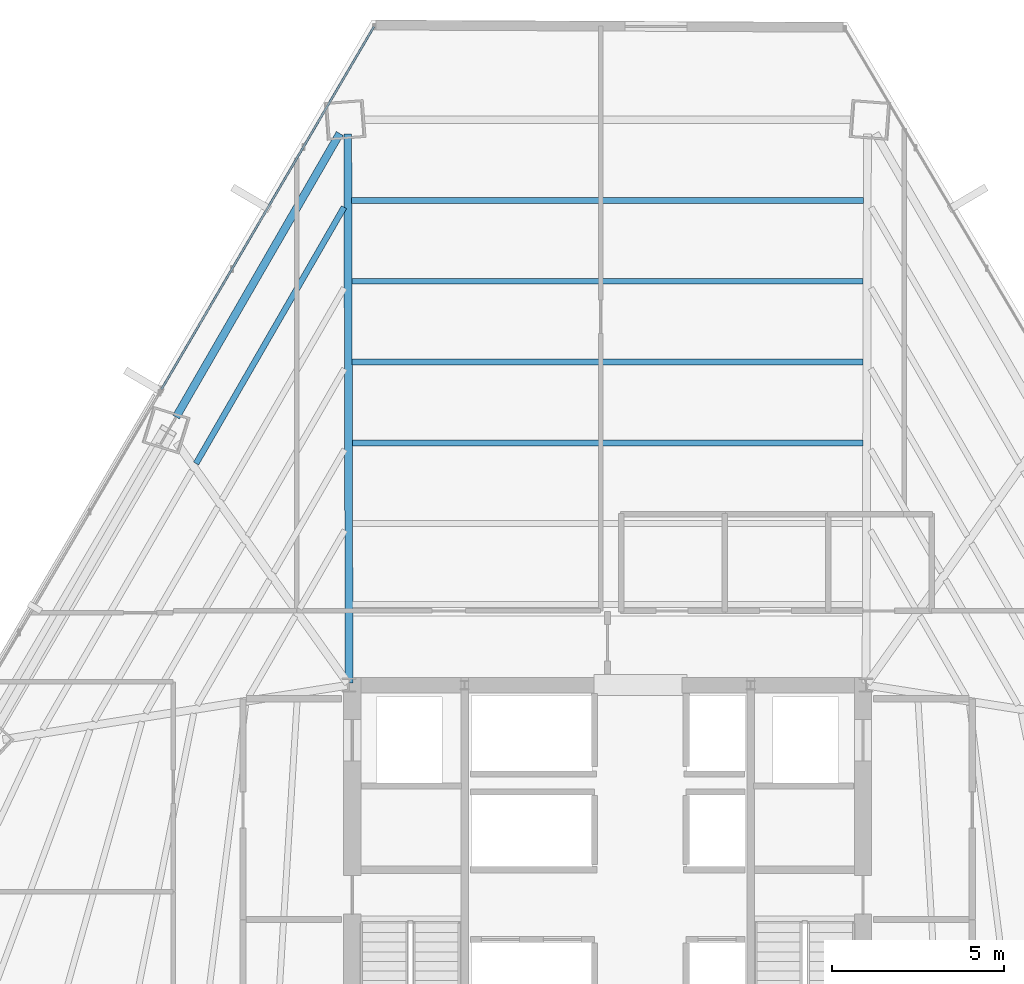
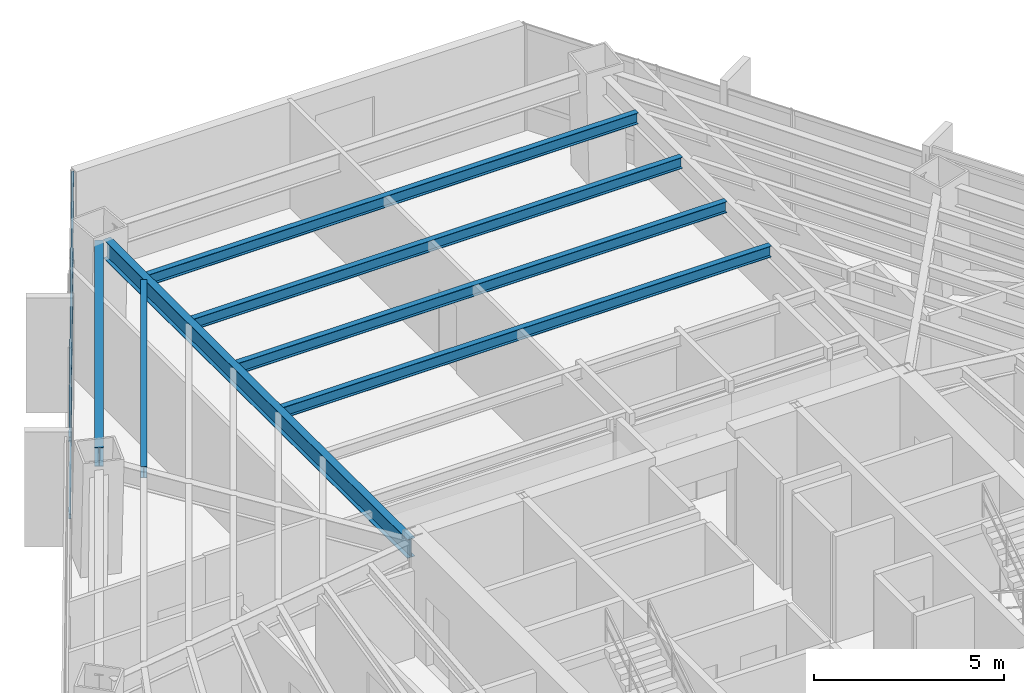
# One storey, part 25 of 35: 7 beams, 2 members, 1 element without a shape of its own.
"""IFC4 building model written with IfcOpenShell, lengths in metres."""

from ifc_helpers import new_model, si_unit, direction, frame, origin, origin_2d, place, context, subcontext, project, spatial, hollow_rectangle, i_section, extrude, source, transform, mapped, material, material_profile, profile_set, type_object, type_shapes, element, aggregate, save


model = new_model("IFC4")

# Units and contexts
model_context = context("Model", 3, precision=1e-05, world=origin(), true_north=direction((0.0, 1.0)))
body_context = subcontext(model_context, "Body", "Model", "MODEL_VIEW")
ifc_project = project(units=[si_unit("LENGTHUNIT", "METRE"), si_unit("AREAUNIT", "SQUARE_METRE"), si_unit("VOLUMEUNIT", "CUBIC_METRE"), si_unit("PLANEANGLEUNIT", "RADIAN"), si_unit("MASSUNIT", "GRAM", prefix="KILO")], contexts=[model_context])

# Site, building, storey
site_placement = place(None, origin())
site = spatial("IfcSite", under=ifc_project, at=site_placement, CompositionType="ELEMENT")
building_placement = place(site_placement, origin())
building = spatial("IfcBuilding", under=site, at=building_placement, Name="Caelisora Broadcast Tower", CompositionType="ELEMENT")
storey_placement = place(building_placement, frame((0.0, 0.0, 98.10009765625)))
storey = spatial("IfcBuildingStorey", under=building, at=storey_placement, Name="L25", CompositionType="ELEMENT", Elevation=98.10009765625)

# Beams
ifc_material_1 = material(Name="Steel Grade 350 (AS/NZS 3679.1)", Category="steel")
ifc_material_profile_1 = material_profile(ifc_material_1, i_section(OverallWidth=0.22900390625, OverallDepth=0.611572265625, WebThickness=0.011962890625, FlangeThickness=0.01953125, at=origin_2d()), Name="Steel Grade 350 (AS/NZS 3679.1)")
ifc_profile_set_1 = profile_set([ifc_material_profile_1], Name="Steel Grade 350 (AS/NZS 3679.1)")
beam_type_1 = type_object("IfcBeamType", Name="PG03", PredefinedType="BEAM", material=ifc_profile_set_1)
shared_shape_1 = source(origin(), body_context, "Body", "SweptSolid", [
    extrude(i_section(OverallWidth=0.22900390625, OverallDepth=0.611572265625, WebThickness=0.011962890625, FlangeThickness=0.01953125, at=origin_2d()), origin(), (0.0, 0.0, 1.0), 9.50048828125),
])
type_shapes(beam_type_1, [shared_shape_1])
beam_1_placement = place(storey_placement, frame((30.229736328125, 46.004150390625, 3.093994140625), z_axis=(-0.499994576128, -0.866028535236, 0.0), x_axis=(0.866028535236, -0.499994576128, 0.0)))
element("IfcBeam", 1, at=beam_1_placement, inside=storey, type_object=beam_type_1, Name="L25 beam PG03", PredefinedType="BEAM", context=body_context, shape_type="MappedRepresentation", body=[
    mapped(shared_shape_1, transform((0.0, 0.0, 0.0), scale=1.0)),
])
ifc_material_profile_2 = material_profile(ifc_material_1, i_section(OverallWidth=0.22802734375, OverallDepth=0.602294921875, WebThickness=0.010498046875, FlangeThickness=0.014892578125, at=origin_2d()), Name="Steel Grade 350 (AS/NZS 3679.1)")
ifc_profile_set_2 = profile_set([ifc_material_profile_2], Name="Steel Grade 350 (AS/NZS 3679.1)")
beam_type_2 = type_object("IfcBeamType", Name="PG04", PredefinedType="BEAM", material=ifc_profile_set_2)
shared_shape_2 = source(origin(), body_context, "Body", "SweptSolid", [
    extrude(i_section(OverallWidth=0.22802734375, OverallDepth=0.602294921875, WebThickness=0.010498046875, FlangeThickness=0.014892578125, at=origin_2d()), origin(), (0.0, 0.0, 1.0), 15.92236328125),
])
type_shapes(beam_type_2, [shared_shape_2])
beam_2_placement = place(storey_placement, frame((30.5, 30.06005859375, 3.098876953125), z_axis=(-0.002468636104, 0.999996952913, 0.0), x_axis=(-0.999996952913, -0.002468636104, 0.0)))
element("IfcBeam", 2, at=beam_2_placement, inside=storey, type_object=beam_type_2, Name="L25 beam PG04", PredefinedType="BEAM", context=body_context, shape_type="MappedRepresentation", body=[
    mapped(shared_shape_2, transform((0.0, 0.0, 0.0), scale=1.0)),
])
ifc_material_profile_3 = material_profile(ifc_material_1, i_section(OverallWidth=0.172119140625, OverallDepth=0.358642578125, WebThickness=0.008056640625, FlangeThickness=0.012939453125, at=origin_2d()), Name="Steel Grade 350 (AS/NZS 3679.1)")
ifc_profile_set_3 = profile_set([ifc_material_profile_3], Name="Steel Grade 350 (AS/NZS 3679.1)")
beam_type_3 = type_object("IfcBeamType", Name="SB02", PredefinedType="JOIST", material=ifc_profile_set_3)
shared_shape_3 = source(origin(), body_context, "Body", "SweptSolid", [
    extrude(i_section(OverallWidth=0.172119140625, OverallDepth=0.358642578125, WebThickness=0.008056640625, FlangeThickness=0.012939453125, at=origin_2d()), origin(), (0.0, 0.0, 1.0), 14.8125),
])
beam_3_placement = place(storey_placement, frame((45.40625, 37.029541015625, 3.220703125), z_axis=(-1.0, 0.0, 0.0), x_axis=(0.0, -1.0, 0.0)))
element("IfcBeam", 3, at=beam_3_placement, inside=storey, type_object=beam_type_3, Name="L25 beam SB02", PredefinedType="JOIST", context=body_context, shape_type="MappedRepresentation", body=[
    mapped(shared_shape_3, transform((0.0, 0.0, 0.0), scale=1.0)),
])
shared_shape_4 = source(origin(), body_context, "Body", "SweptSolid", [
    extrude(i_section(OverallWidth=0.172119140625, OverallDepth=0.358642578125, WebThickness=0.008056640625, FlangeThickness=0.012939453125, at=origin_2d()), origin(), (0.0, 0.0, 1.0), 14.82421875),
])
beam_4_placement = place(storey_placement, frame((45.412109375, 39.372802734375, 3.220703125), z_axis=(-1.0, 0.0, 0.0), x_axis=(0.0, -1.0, 0.0)))
element("IfcBeam", 4, at=beam_4_placement, inside=storey, type_object=beam_type_3, Name="L25 beam SB02", PredefinedType="JOIST", context=body_context, shape_type="MappedRepresentation", body=[
    mapped(shared_shape_4, transform((0.0, 0.0, 0.0), scale=1.0)),
])
shared_shape_5 = source(origin(), body_context, "Body", "SweptSolid", [
    extrude(i_section(OverallWidth=0.172119140625, OverallDepth=0.358642578125, WebThickness=0.008056640625, FlangeThickness=0.012939453125, at=origin_2d()), origin(), (0.0, 0.0, 1.0), 14.83544921875),
])
beam_5_placement = place(storey_placement, frame((45.417724609375, 41.716064453125, 3.220703125), z_axis=(-1.0, 0.0, 0.0), x_axis=(0.0, -1.0, 0.0)))
element("IfcBeam", 5, at=beam_5_placement, inside=storey, type_object=beam_type_3, Name="L25 beam SB02", PredefinedType="JOIST", context=body_context, shape_type="MappedRepresentation", body=[
    mapped(shared_shape_5, transform((0.0, 0.0, 0.0), scale=1.0)),
])
shared_shape_6 = source(origin(), body_context, "Body", "SweptSolid", [
    extrude(i_section(OverallWidth=0.172119140625, OverallDepth=0.358642578125, WebThickness=0.008056640625, FlangeThickness=0.012939453125, at=origin_2d()), origin(), (0.0, 0.0, 1.0), 14.84716796875),
])
beam_6_placement = place(storey_placement, frame((45.423583984375, 44.059326171875, 3.220703125), z_axis=(-1.0, 0.0, 0.0), x_axis=(0.0, -1.0, 0.0)))
element("IfcBeam", 6, at=beam_6_placement, inside=storey, type_object=beam_type_3, Name="L25 beam SB02", PredefinedType="JOIST", context=body_context, shape_type="MappedRepresentation", body=[
    mapped(shared_shape_6, transform((0.0, 0.0, 0.0), scale=1.0)),
])
shared_shape_7 = source(origin(), body_context, "Body", "SweptSolid", [
    extrude(i_section(OverallWidth=0.172119140625, OverallDepth=0.358642578125, WebThickness=0.008056640625, FlangeThickness=0.012939453125, at=origin_2d()), origin(), (0.0, 0.0, 1.0), 8.5859375),
])
type_shapes(beam_type_3, [shared_shape_3, shared_shape_4, shared_shape_5, shared_shape_6, shared_shape_7])
beam_7_placement = place(storey_placement, frame((30.353515625, 43.865234375, 3.220703125), z_axis=(-0.500004696101, -0.866022692473, 0.0), x_axis=(0.866022692473, -0.500004696101, 0.0)))
element("IfcBeam", 7, at=beam_7_placement, inside=storey, type_object=beam_type_3, Name="L25 beam SB02", PredefinedType="JOIST", context=body_context, shape_type="MappedRepresentation", body=[
    mapped(shared_shape_7, transform((0.0, 0.0, 0.0), scale=1.0)),
])

# Curtain wall, members
ifc_material_2 = material(Name="Unitised Aluminium and Low-E Glass Curtain Wall", Category="glass")
curtain_wall_type = type_object("IfcCurtainWallType", Name="CW-Z2", PredefinedType="NOTDEFINED", material=ifc_material_2)
curtain_wall_placement = place(storey_placement, origin())
curtain_wall = element("IfcCurtainWall", 8, at=curtain_wall_placement, inside=storey, type_object=curtain_wall_type, Name="L25 curtain wall CW-Z2", PredefinedType="NOTDEFINED")
ifc_material_3 = material(Name="Aluminium 6063-T6 Anodised Terracotta Bronze", Category="aluminium")
ifc_material_profile_4 = material_profile(ifc_material_3, hollow_rectangle(XDim=0.06005859375, YDim=0.14990234375, WallThickness=0.00341796875, at=origin_2d()), Name="Aluminium 6063-T6 Anodised Terracotta Bronze")
ifc_profile_set_4 = profile_set([ifc_material_profile_4], Name="Aluminium 6063-T6 Anodised Terracotta Bronze")
member_type = type_object("IfcMemberType", Name="CWT-02", PredefinedType="USERDEFINED", material=ifc_profile_set_4)
shared_shape_8 = source(origin(), body_context, "Body", "SweptSolid", [
    extrude(hollow_rectangle(XDim=0.06005859375, YDim=0.14990234375, WallThickness=0.00341796875, at=origin_2d()), origin(), (0.0, 0.0, 1.0), 12.197998046875),
])
type_shapes(member_type, [shared_shape_8])
member_1_placement = place(storey_placement, frame((25.055419921875, 38.578857421875, 0.849853515625), z_axis=(0.50543696101, 0.86286353408, 0.0), x_axis=(-0.86286353408, 0.50543696101, 0.0)))
member_1 = element("IfcMember", 9, at=member_1_placement, type_object=member_type, Name="L25-CW-B11 transom #1", ObjectType="TRANSOM", PredefinedType="USERDEFINED", context=body_context, shape_type="MappedRepresentation", body=[
    mapped(shared_shape_8, transform((0.0, 0.0, 0.0), scale=1.0)),
])
member_2_placement = place(storey_placement, frame((25.055419921875, 38.578857421875, 3.31982421875), z_axis=(0.50543696101, 0.86286353408, 0.0), x_axis=(-0.86286353408, 0.50543696101, 0.0)))
member_2 = element("IfcMember", 10, at=member_2_placement, type_object=member_type, Name="L25-CW-B11 transom #2", ObjectType="TRANSOM", PredefinedType="USERDEFINED", context=body_context, shape_type="MappedRepresentation", body=[
    mapped(shared_shape_8, transform((0.0, 0.0, 0.0), scale=1.0)),
])
aggregate(curtain_wall, [member_1, member_2])

save(model, "model.ifc")
